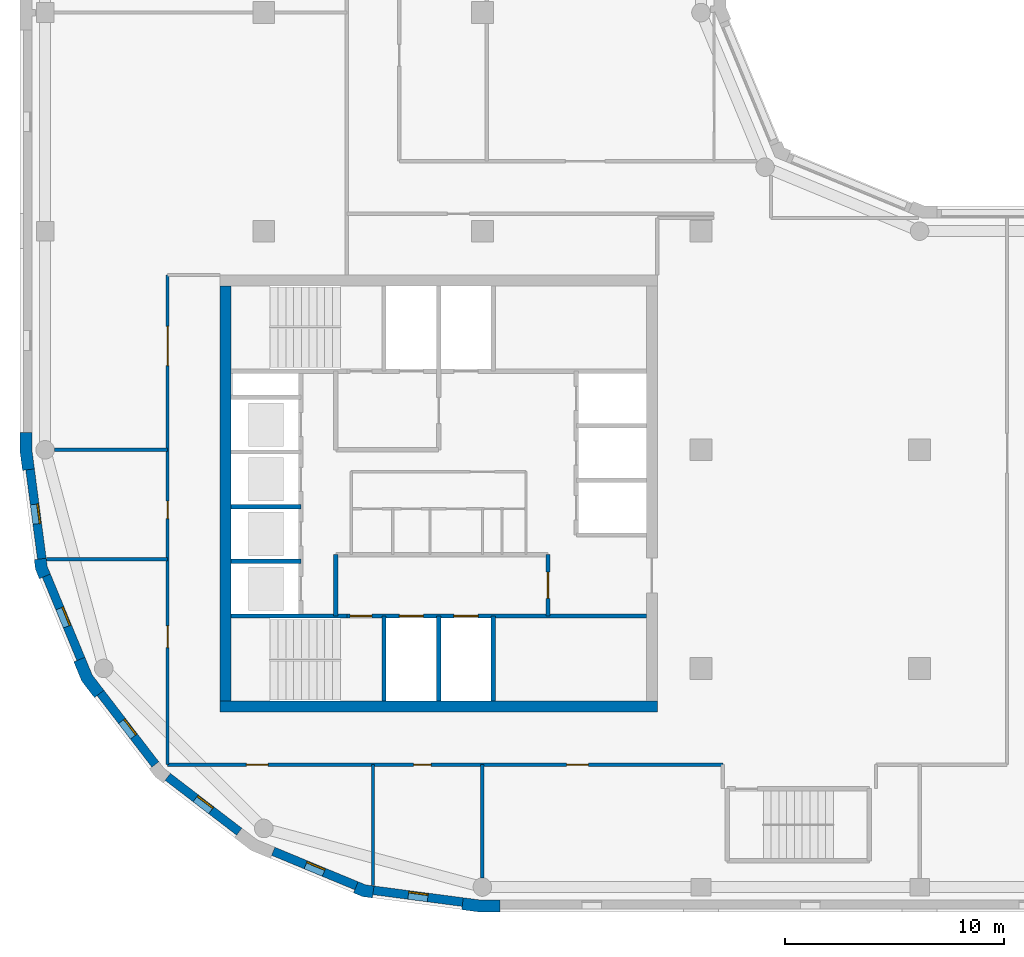
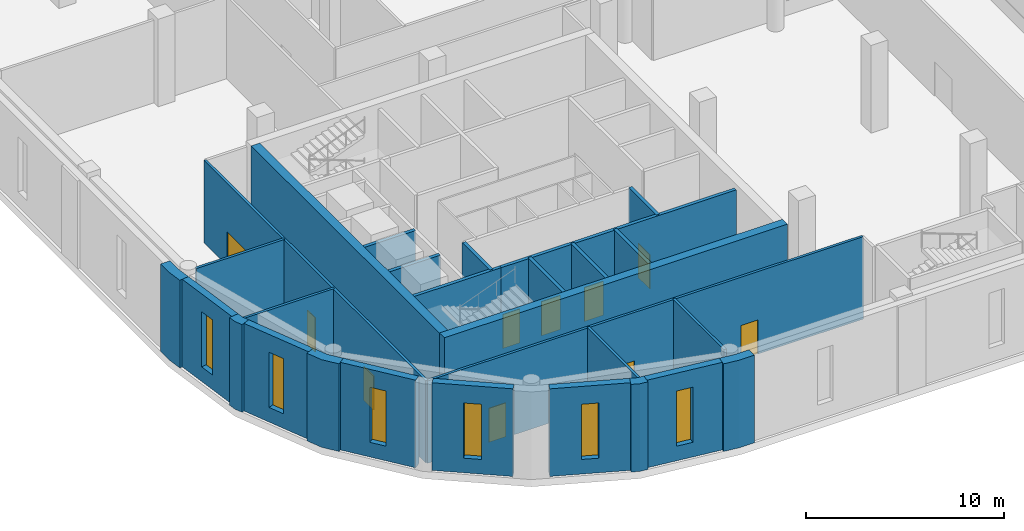
# One storey, part 2 of 9: 28 walls, 10 doors, 6 windows, 16 openings.
"""IFC4 building model written with IfcOpenShell, lengths in metres."""

from ifc_helpers import new_model, si_unit, direction, frame, frame_2d, origin, place, context, subcontext, project, spatial, polyline, rectangle, outline, extrude, material, layer, layer_set, type_object, element, fill, save


model = new_model("IFC4")

# Units and contexts
model_context = context("Model", 3, precision=1e-05, world=origin(), true_north=direction((0.0, 1.0)))
body_context = subcontext(model_context, "Body", "Model", "MODEL_VIEW")
ifc_project = project(units=[si_unit("LENGTHUNIT", "METRE"), si_unit("AREAUNIT", "SQUARE_METRE"), si_unit("VOLUMEUNIT", "CUBIC_METRE"), si_unit("PLANEANGLEUNIT", "RADIAN"), si_unit("MASSUNIT", "GRAM", prefix="KILO")], contexts=[model_context])

# Site, building, storey
site_placement = place(None, origin())
site = spatial("IfcSite", under=ifc_project, at=site_placement, CompositionType="ELEMENT")
building_placement = place(site_placement, origin())
building = spatial("IfcBuilding", under=site, at=building_placement, Name="Qaws Garden Tower", CompositionType="ELEMENT")
storey_placement = place(building_placement, frame((0.0, 0.0, 246.0)))
storey = spatial("IfcBuildingStorey", under=building, at=storey_placement, Name="L59", CompositionType="ELEMENT", Elevation=246.0)

# Wall, opening, window
ifc_material_1 = material(Name="Clay facing brick masonry", Category="masonry")
ifc_layer_1 = layer(ifc_material_1, 0.39990234375)
ifc_layer_set_1 = layer_set([ifc_layer_1], Name="Clay facing brick masonry")
wall_type_1 = type_object("IfcWallType", Name="Brick infill wall 400", PredefinedType="SOLIDWALL", material=ifc_layer_set_1)
wall_1_placement = place(storey_placement, frame((-0.688720703125, 19.102294921875, 0.0), z_axis=(0.0, 0.0, 1.0), x_axis=(0.130514280502, -0.991446429508, 0.0)))
wall_1 = element("IfcWall", 1, at=wall_1_placement, inside=storey, type_object=wall_type_1, Name="E-L59-infill-23", PredefinedType="SOLIDWALL", context=body_context, shape_type="SweptSolid", body=[
    extrude(rectangle(XDim=4.120849609375, YDim=0.39990234375, at=frame_2d((2.060546875, 0.0))), origin(), (0.0, 0.0, 1.0), 5.39990234375),
])
opening_1_placement = place(wall_1_placement, frame((1.610595703125, 0.0, 0.89990234375)))
opening_1 = element("IfcOpeningElement", 2, at=opening_1_placement, cuts=wall_1, Name="Opening W10", PredefinedType="OPENING", context=body_context, shape_type="SweptSolid", body=[
    extrude(rectangle(XDim=0.89990234375, YDim=3.39990234375, at=frame_2d((0.449951171875, 1.699951171875))), frame((0.0, 0.2099609375, 0.0), z_axis=(0.0, -1.0, 0.0), x_axis=(1.0, 0.0, 0.0)), (0.0, 0.0, 1.0), 0.419921875),
])
ifc_material_2 = material(Name="Aluminium framed window, clear glazing", Category="aluminium")
window_type = type_object("IfcWindowType", Name="Slit window 900 x 3400", PartitioningType="SINGLE_PANEL", PredefinedType="WINDOW", material=ifc_material_2)
window_1_placement = place(opening_1_placement, origin())
window_1 = element("IfcWindow", 3, at=window_1_placement, inside=storey, type_object=window_type, Name="E-L59-window-23-0", OverallHeight=3.39990234375, OverallWidth=0.89990234375, PartitioningType="SINGLE_PANEL", PredefinedType="WINDOW", context=body_context, shape_type="SweptSolid", body=[
    extrude(rectangle(XDim=0.89990234375, YDim=3.39990234375, at=frame_2d((0.449951171875, 1.699951171875))), frame((0.0, 0.159912109375, 0.0), z_axis=(0.0, -1.0, 0.0), x_axis=(1.0, 0.0, 0.0)), (0.0, 0.0, 1.0), 0.06005859375),
])
fill(opening_1, window_1)

wall_2_placement = place(storey_placement, frame((0.05712890625, 14.240234375, 0.0), z_axis=(0.0, 0.0, 1.0), x_axis=(0.382721546029, -0.923863744394, 0.0)))
wall_2 = element("IfcWall", 4, at=wall_2_placement, inside=storey, type_object=wall_type_1, Name="E-L59-infill-24", PredefinedType="SOLIDWALL", context=body_context, shape_type="SweptSolid", body=[
    extrude(rectangle(XDim=4.120849609375, YDim=0.39990234375, at=frame_2d((2.060546875, 0.0))), origin(), (0.0, 0.0, 1.0), 5.39990234375),
])
opening_2_placement = place(wall_2_placement, frame((1.610595703125, 0.0, 0.89990234375)))
opening_2 = element("IfcOpeningElement", 5, at=opening_2_placement, cuts=wall_2, Name="Opening W10", PredefinedType="OPENING", context=body_context, shape_type="SweptSolid", body=[
    extrude(rectangle(XDim=0.89990234375, YDim=3.39990234375, at=frame_2d((0.449951171875, 1.699951171875))), frame((0.0, 0.2099609375, 0.0), z_axis=(0.0, -1.0, 0.0), x_axis=(1.0, 0.0, 0.0)), (0.0, 0.0, 1.0), 0.419921875),
])
window_2_placement = place(opening_2_placement, origin())
window_2 = element("IfcWindow", 6, at=window_2_placement, inside=storey, type_object=window_type, Name="E-L59-window-24-0", OverallHeight=3.39990234375, OverallWidth=0.89990234375, PartitioningType="SINGLE_PANEL", PredefinedType="WINDOW", context=body_context, shape_type="SweptSolid", body=[
    extrude(rectangle(XDim=0.89990234375, YDim=3.39990234375, at=frame_2d((0.449951171875, 1.699951171875))), frame((0.0, 0.159912109375, 0.0), z_axis=(0.0, -1.0, 0.0), x_axis=(1.0, 0.0, 0.0)), (0.0, 0.0, 1.0), 0.06005859375),
])
fill(opening_2, window_2)

wall_3_placement = place(storey_placement, frame((2.53173828125, 8.87841796875, 0.0), z_axis=(0.0, 0.0, 1.0), x_axis=(0.608759824817, -0.793354571229, 0.0)))
wall_3 = element("IfcWall", 7, at=wall_3_placement, inside=storey, type_object=wall_type_1, Name="E-L59-infill-25", PredefinedType="SOLIDWALL", context=body_context, shape_type="SweptSolid", body=[
    extrude(rectangle(XDim=4.12109375, YDim=0.39990234375, at=frame_2d((2.060546875, 0.0))), origin(), (0.0, 0.0, 1.0), 5.39990234375),
])
opening_3_placement = place(wall_3_placement, frame((1.610595703125, 0.0, 0.89990234375)))
opening_3 = element("IfcOpeningElement", 8, at=opening_3_placement, cuts=wall_3, Name="Opening W10", PredefinedType="OPENING", context=body_context, shape_type="SweptSolid", body=[
    extrude(rectangle(XDim=0.89990234375, YDim=3.39990234375, at=frame_2d((0.449951171875, 1.699951171875))), frame((0.0, 0.2099609375, 0.0), z_axis=(0.0, -1.0, 0.0), x_axis=(1.0, 0.0, 0.0)), (0.0, 0.0, 1.0), 0.419921875),
])
window_3_placement = place(opening_3_placement, origin())
window_3 = element("IfcWindow", 9, at=window_3_placement, inside=storey, type_object=window_type, Name="E-L59-window-25-0", OverallHeight=3.39990234375, OverallWidth=0.89990234375, PartitioningType="SINGLE_PANEL", PredefinedType="WINDOW", context=body_context, shape_type="SweptSolid", body=[
    extrude(rectangle(XDim=0.89990234375, YDim=3.39990234375, at=frame_2d((0.449951171875, 1.699951171875))), frame((0.0, 0.159912109375, 0.0), z_axis=(0.0, -1.0, 0.0), x_axis=(1.0, 0.0, 0.0)), (0.0, 0.0, 1.0), 0.06005859375),
])
fill(opening_3, window_3)

wall_4_placement = place(storey_placement, frame((5.60888671875, 5.04052734375, 0.0), z_axis=(0.0, 0.0, 1.0), x_axis=(0.793354571229, -0.608759824817, 0.0)))
wall_4 = element("IfcWall", 10, at=wall_4_placement, inside=storey, type_object=wall_type_1, Name="E-L59-infill-26", PredefinedType="SOLIDWALL", context=body_context, shape_type="SweptSolid", body=[
    extrude(rectangle(XDim=4.12109375, YDim=0.39990234375, at=frame_2d((2.060546875, 0.0))), origin(), (0.0, 0.0, 1.0), 5.39990234375),
])
opening_4_placement = place(wall_4_placement, frame((1.610595703125, 0.0, 0.89990234375)))
opening_4 = element("IfcOpeningElement", 11, at=opening_4_placement, cuts=wall_4, Name="Opening W10", PredefinedType="OPENING", context=body_context, shape_type="SweptSolid", body=[
    extrude(rectangle(XDim=0.89990234375, YDim=3.39990234375, at=frame_2d((0.449951171875, 1.699951171875))), frame((0.0, 0.2099609375, 0.0), z_axis=(0.0, -1.0, 0.0), x_axis=(1.0, 0.0, 0.0)), (0.0, 0.0, 1.0), 0.419921875),
])
window_4_placement = place(opening_4_placement, origin())
window_4 = element("IfcWindow", 12, at=window_4_placement, inside=storey, type_object=window_type, Name="E-L59-window-26-0", OverallHeight=3.39990234375, OverallWidth=0.89990234375, PartitioningType="SINGLE_PANEL", PredefinedType="WINDOW", context=body_context, shape_type="SweptSolid", body=[
    extrude(rectangle(XDim=0.89990234375, YDim=3.39990234375, at=frame_2d((0.449951171875, 1.699951171875))), frame((0.0, 0.159912109375, 0.0), z_axis=(0.0, -1.0, 0.0), x_axis=(1.0, 0.0, 0.0)), (0.0, 0.0, 1.0), 0.06005859375),
])
fill(opening_4, window_4)

wall_5_placement = place(storey_placement, frame((10.43310546875, 1.63427734375, 0.0), z_axis=(0.0, 0.0, 1.0), x_axis=(0.923863744394, -0.382721546029, 0.0)))
wall_5 = element("IfcWall", 13, at=wall_5_placement, inside=storey, type_object=wall_type_1, Name="E-L59-infill-27", PredefinedType="SOLIDWALL", context=body_context, shape_type="SweptSolid", body=[
    extrude(rectangle(XDim=4.120849609375, YDim=0.39990234375, at=frame_2d((2.060546875, 0.0))), origin(), (0.0, 0.0, 1.0), 5.39990234375),
])
opening_5_placement = place(wall_5_placement, frame((1.610595703125, 0.0, 0.89990234375)))
opening_5 = element("IfcOpeningElement", 14, at=opening_5_placement, cuts=wall_5, Name="Opening W10", PredefinedType="OPENING", context=body_context, shape_type="SweptSolid", body=[
    extrude(rectangle(XDim=0.89990234375, YDim=3.39990234375, at=frame_2d((0.449951171875, 1.699951171875))), frame((0.0, 0.2099609375, 0.0), z_axis=(0.0, -1.0, 0.0), x_axis=(1.0, 0.0, 0.0)), (0.0, 0.0, 1.0), 0.419921875),
])
window_5_placement = place(opening_5_placement, origin())
window_5 = element("IfcWindow", 15, at=window_5_placement, inside=storey, type_object=window_type, Name="E-L59-window-27-0", OverallHeight=3.39990234375, OverallWidth=0.89990234375, PartitioningType="SINGLE_PANEL", PredefinedType="WINDOW", context=body_context, shape_type="SweptSolid", body=[
    extrude(rectangle(XDim=0.89990234375, YDim=3.39990234375, at=frame_2d((0.449951171875, 1.699951171875))), frame((0.0, 0.159912109375, 0.0), z_axis=(0.0, -1.0, 0.0), x_axis=(1.0, 0.0, 0.0)), (0.0, 0.0, 1.0), 0.06005859375),
])
fill(opening_5, window_5)

wall_6_placement = place(storey_placement, frame((15.0166015625, -0.15087890625, 0.0), z_axis=(0.0, 0.0, 1.0), x_axis=(0.991446429508, -0.130514280502, 0.0)))
wall_6 = element("IfcWall", 16, at=wall_6_placement, inside=storey, type_object=wall_type_1, Name="E-L59-infill-28", PredefinedType="SOLIDWALL", context=body_context, shape_type="SweptSolid", body=[
    extrude(rectangle(XDim=4.120849609375, YDim=0.39990234375, at=frame_2d((2.060546875, 0.0))), origin(), (0.0, 0.0, 1.0), 5.39990234375),
])
opening_6_placement = place(wall_6_placement, frame((1.610595703125, 0.0, 0.89990234375)))
opening_6 = element("IfcOpeningElement", 17, at=opening_6_placement, cuts=wall_6, Name="Opening W10", PredefinedType="OPENING", context=body_context, shape_type="SweptSolid", body=[
    extrude(rectangle(XDim=0.89990234375, YDim=3.39990234375, at=frame_2d((0.449951171875, 1.699951171875))), frame((0.0, 0.2099609375, 0.0), z_axis=(0.0, -1.0, 0.0), x_axis=(1.0, 0.0, 0.0)), (0.0, 0.0, 1.0), 0.419921875),
])
window_6_placement = place(opening_6_placement, origin())
window_6 = element("IfcWindow", 18, at=window_6_placement, inside=storey, type_object=window_type, Name="E-L59-window-28-0", OverallHeight=3.39990234375, OverallWidth=0.89990234375, PartitioningType="SINGLE_PANEL", PredefinedType="WINDOW", context=body_context, shape_type="SweptSolid", body=[
    extrude(rectangle(XDim=0.89990234375, YDim=3.39990234375, at=frame_2d((0.449951171875, 1.699951171875))), frame((0.0, 0.159912109375, 0.0), z_axis=(0.0, -1.0, 0.0), x_axis=(1.0, 0.0, 0.0)), (0.0, 0.0, 1.0), 0.06005859375),
])
fill(opening_6, window_6)

# Walls
ifc_material_3 = material(Name="Clay facing brick masonry", Category="masonry")
ifc_layer_2 = layer(ifc_material_3, 0.550048828125)
ifc_layer_set_2 = layer_set([ifc_layer_2], Name="Clay facing brick masonry")
wall_type_2 = type_object("IfcWallType", Name="Brick kink pier 550 x 600", PredefinedType="SOLIDWALL", material=ifc_layer_set_2)
placement = place(storey_placement, origin())
element("IfcWall", 19, at=placement, inside=storey, type_object=wall_type_2, Name="E-L59-pier-24", PredefinedType="SOLIDWALL", context=body_context, shape_type="SweptSolid", body=[
    extrude(outline(polyline([(-0.34912109375, 14.990478515625), (-0.497802734375, 14.970947265625), (-0.43896484375, 14.5234375), (-0.26611328125, 14.1064453125), (-0.127685546875, 14.163818359375), (0.241943359375, 14.31689453125), (0.096923828125, 14.6669921875), (0.04736328125, 15.042724609375), (-0.34912109375, 14.990478515625)])), origin(), (0.0, 0.0, 1.0), 5.39990234375),
])
element("IfcWall", 20, at=placement, inside=storey, type_object=wall_type_2, Name="E-L59-pier-28", PredefinedType="SOLIDWALL", context=body_context, shape_type="SweptSolid", body=[
    extrude(outline(polyline([(14.163818359375, -0.127685546875), (14.1064453125, -0.26611328125), (14.5234375, -0.43896484375), (14.970947265625, -0.497802734375), (14.990478515625, -0.34912109375), (15.042724609375, 0.04736328125), (14.6669921875, 0.096923828125), (14.31689453125, 0.241943359375), (14.163818359375, -0.127685546875)])), origin(), (0.0, 0.0, 1.0), 5.39990234375),
])
ifc_material_4 = material(Name="Clay facing brick masonry", Category="masonry")
ifc_layer_3 = layer(ifc_material_4, 0.550048828125)
ifc_layer_set_3 = layer_set([ifc_layer_3], Name="Clay facing brick masonry")
wall_type_3 = type_object("IfcWallType", Name="Brick pier 550 x 1600", PredefinedType="SOLIDWALL", material=ifc_layer_set_3)
element("IfcWall", 21, at=placement, inside=storey, type_object=wall_type_3, Name="E-L59-pier-00", PredefinedType="SOLIDWALL", context=body_context, shape_type="SweptSolid", body=[
    extrude(outline(polyline([(19.076416015625, -0.886962890625), (19.056640625, -1.03564453125), (19.924560546875, -1.14990234375), (20.800048828125, -1.14990234375), (20.800048828125, -1.0), (20.800048828125, -0.60009765625), (19.960693359375, -0.60009765625), (19.12841796875, -0.490478515625), (19.076416015625, -0.886962890625)])), origin(), (0.0, 0.0, 1.0), 5.39990234375),
])
element("IfcWall", 22, at=placement, inside=storey, type_object=wall_type_3, Name="E-L59-pier-23", PredefinedType="SOLIDWALL", context=body_context, shape_type="SweptSolid", body=[
    extrude(outline(polyline([(-1.0, 20.800048828125), (-1.14990234375, 20.800048828125), (-1.14990234375, 19.924560546875), (-1.03564453125, 19.056640625), (-0.886962890625, 19.076416015625), (-0.490478515625, 19.12841796875), (-0.60009765625, 19.960693359375), (-0.60009765625, 20.800048828125), (-1.0, 20.800048828125)])), origin(), (0.0, 0.0, 1.0), 5.39990234375),
])
element("IfcWall", 23, at=placement, inside=storey, type_object=wall_type_3, Name="E-L59-pier-25", PredefinedType="SOLIDWALL", context=body_context, shape_type="SweptSolid", body=[
    extrude(outline(polyline([(1.449462890625, 10.3564453125), (1.310791015625, 10.299072265625), (1.675048828125, 9.419921875), (2.254150390625, 8.665283203125), (2.373046875, 8.756591796875), (2.6904296875, 9.0), (2.1552734375, 9.697509765625), (1.819091796875, 10.509521484375), (1.449462890625, 10.3564453125)])), origin(), (0.0, 0.0, 1.0), 5.39990234375),
])
ifc_material_5 = material(Name="Concrete C60", Category="concrete")
ifc_layer_4 = layer(ifc_material_5, 0.199951171875)
ifc_layer_set_4 = layer_set([ifc_layer_4], Name="Concrete C60")
wall_type_4 = type_object("IfcWallType", Name="Core shaft wall 200 C60", PredefinedType="SHEAR", material=ifc_layer_set_4)
wall_12_placement = place(storey_placement, frame((8.5, 12.39990234375, 0.0), z_axis=(0.0, 0.0, 1.0), x_axis=(1.0, 0.0, 0.0)))
element("IfcWall", 24, at=wall_12_placement, inside=storey, type_object=wall_type_4, Name="Shaft wall", PredefinedType="SHEAR", context=body_context, shape_type="SweptSolid", body=[
    extrude(rectangle(XDim=5.300048828125, YDim=0.199951171875, at=frame_2d((2.64990234375, 0.0))), origin(), (0.0, 0.0, 1.0), 5.080078125),
])

# Wall, openings, doors
wall_13_placement = place(storey_placement, frame((13.800048828125, 12.39990234375, 0.0), z_axis=(0.0, 0.0, 1.0), x_axis=(1.0, 0.0, 0.0)))
wall_13 = element("IfcWall", 25, at=wall_13_placement, inside=storey, type_object=wall_type_4, Name="Shaft wall", PredefinedType="SHEAR", context=body_context, shape_type="SweptSolid", body=[
    extrude(rectangle(XDim=13.699951171875, YDim=0.199951171875, at=frame_2d((6.85009765625, 0.0))), origin(), (0.0, 0.0, 1.0), 5.080078125),
])
opening_7_placement = place(wall_13_placement, frame((2.39990234375, 0.0, 0.0)))
opening_7 = element("IfcOpeningElement", 26, at=opening_7_placement, cuts=wall_13, Name="Opening LD08", PredefinedType="OPENING", context=body_context, shape_type="SweptSolid", body=[
    extrude(rectangle(XDim=1.10009765625, YDim=2.10009765625, at=frame_2d((0.550048828125, 1.050048828125))), frame((0.0, 0.10986328125, 0.0), z_axis=(0.0, -1.0, 0.0), x_axis=(1.0, 0.0, 0.0)), (0.0, 0.0, 1.0), 0.219970703125),
])
opening_8_placement = place(wall_13_placement, frame((4.89990234375, 0.0, 0.0)))
opening_8 = element("IfcOpeningElement", 27, at=opening_8_placement, cuts=wall_13, Name="Opening LD09", PredefinedType="OPENING", context=body_context, shape_type="SweptSolid", body=[
    extrude(rectangle(XDim=1.10009765625, YDim=2.10009765625, at=frame_2d((0.550048828125, 1.050048828125))), frame((0.0, 0.10986328125, 0.0), z_axis=(0.0, -1.0, 0.0), x_axis=(1.0, 0.0, 0.0)), (0.0, 0.0, 1.0), 0.219970703125),
])
opening_9_placement = place(wall_13_placement, frame((0.14990234375, 0.0, 0.0)))
opening_9 = element("IfcOpeningElement", 28, at=opening_9_placement, cuts=wall_13, Name="Opening SD12", PredefinedType="OPENING", context=body_context, shape_type="SweptSolid", body=[
    extrude(rectangle(XDim=1.0, YDim=2.10009765625, at=frame_2d((0.5, 1.050048828125))), frame((0.0, 0.10986328125, 0.0), z_axis=(0.0, -1.0, 0.0), x_axis=(1.0, 0.0, 0.0)), (0.0, 0.0, 1.0), 0.219970703125),
])
ifc_material_6 = material(Name="Steel S235", Category="steel")
door_type_1 = type_object("IfcDoorType", Name="Landing door 1100x2100", OperationType="DOUBLE_DOOR_SLIDING", PredefinedType="DOOR", material=ifc_material_6)
door_1_placement = place(opening_7_placement, origin())
door_1 = element("IfcDoor", 29, at=door_1_placement, inside=storey, type_object=door_type_1, Name="Lift FF1 landing door", OperationType="DOUBLE_DOOR_SLIDING", OverallHeight=2.10009765625, OverallWidth=1.10009765625, PredefinedType="DOOR", context=body_context, shape_type="SweptSolid", body=[
    extrude(rectangle(XDim=1.10009765625, YDim=2.10009765625, at=frame_2d((0.550048828125, 1.050048828125))), frame((0.0, 0.02490234375, 0.0), z_axis=(0.0, -1.0, 0.0), x_axis=(1.0, 0.0, 0.0)), (0.0, 0.0, 1.0), 0.050048828125),
])
fill(opening_7, door_1)
door_2_placement = place(opening_8_placement, origin())
door_2 = element("IfcDoor", 30, at=door_2_placement, inside=storey, type_object=door_type_1, Name="Lift FF2 landing door", OperationType="DOUBLE_DOOR_SLIDING", OverallHeight=2.10009765625, OverallWidth=1.10009765625, PredefinedType="DOOR", context=body_context, shape_type="SweptSolid", body=[
    extrude(rectangle(XDim=1.10009765625, YDim=2.10009765625, at=frame_2d((0.550048828125, 1.050048828125))), frame((0.0, 0.02490234375, 0.0), z_axis=(0.0, -1.0, 0.0), x_axis=(1.0, 0.0, 0.0)), (0.0, 0.0, 1.0), 0.050048828125),
])
fill(opening_8, door_2)
ifc_material_7 = material(Name="Steel S235", Category="steel")
door_type_2 = type_object("IfcDoorType", Name="Stair door 1000x2100", OperationType="SINGLE_SWING_RIGHT", PredefinedType="DOOR", material=ifc_material_7)
door_3_placement = place(opening_9_placement, frame((1.0, 0.0, 0.0), z_axis=(0.0, 0.0, 1.0), x_axis=(-1.0, 0.0, 0.0)))
door_3 = element("IfcDoor", 31, at=door_3_placement, inside=storey, type_object=door_type_2, Name="Stair 1 door", OperationType="SINGLE_SWING_LEFT", OverallHeight=2.10009765625, OverallWidth=1.0, PredefinedType="DOOR", context=body_context, shape_type="SweptSolid", body=[
    extrude(rectangle(XDim=1.0, YDim=2.10009765625, at=frame_2d((0.5, 1.050048828125))), frame((0.0, 0.02490234375, 0.0), z_axis=(0.0, -1.0, 0.0), x_axis=(1.0, 0.0, 0.0)), (0.0, 0.0, 1.0), 0.050048828125),
])
fill(opening_9, door_3)

# Walls
for number, where, z_axis, x_axis, name in (
    (32, (8.5, 14.89990234375, 0.0), (0.0, 0.0, 1.0), (1.0, 0.0, 0.0), "Shaft wall"),
    (33, (8.5, 17.39990234375, 0.0), (0.0, 0.0, 1.0), (1.0, 0.0, 0.0), "Shaft wall"),
):
    element("IfcWall", number, at=place(storey_placement, frame(where, z_axis=z_axis, x_axis=x_axis)), inside=storey, type_object=wall_type_4, Name=name, PredefinedType="SHEAR", context=body_context, shape_type="SweptSolid", body=[
        extrude(rectangle(XDim=3.199951171875, YDim=0.199951171875, at=frame_2d((1.60009765625, 0.0))), origin(), (0.0, 0.0, 1.0), 5.080078125),
    ])
wall_14_placement = place(storey_placement, frame((13.300048828125, 12.39990234375, 0.0), z_axis=(0.0, 0.0, 1.0), x_axis=(0.0, 1.0, 0.0)))
element("IfcWall", 34, at=wall_14_placement, inside=storey, type_object=wall_type_4, Name="Shaft wall", PredefinedType="SHEAR", context=body_context, shape_type="SweptSolid", body=[
    extrude(rectangle(XDim=2.800048828125, YDim=0.199951171875, at=frame_2d((1.39990234375, 0.0))), origin(), (0.0, 0.0, 1.0), 5.080078125),
])
for number, where, z_axis, x_axis, name in (
    (35, (15.5, 8.5, 0.0), (0.0, 0.0, 1.0), (0.0, 1.0, 0.0), "Shaft wall"),
    (36, (18.0, 8.5, 0.0), (0.0, 0.0, 1.0), (0.0, 1.0, 0.0), "Shaft wall"),
    (37, (20.5, 8.5, 0.0), (0.0, 0.0, 1.0), (0.0, 1.0, 0.0), "Shaft wall"),
):
    element("IfcWall", number, at=place(storey_placement, frame(where, z_axis=z_axis, x_axis=x_axis)), inside=storey, type_object=wall_type_4, Name=name, PredefinedType="SHEAR", context=body_context, shape_type="SweptSolid", body=[
        extrude(rectangle(XDim=3.89990234375, YDim=0.199951171875, at=frame_2d((1.949951171875, 0.0))), origin(), (0.0, 0.0, 1.0), 5.080078125),
    ])

# Wall, opening, door
wall_15_placement = place(storey_placement, frame((23.0, 12.39990234375, 0.0), z_axis=(0.0, 0.0, 1.0), x_axis=(0.0, 1.0, 0.0)))
wall_15 = element("IfcWall", 38, at=wall_15_placement, inside=storey, type_object=wall_type_4, Name="Shaft wall", PredefinedType="SHEAR", context=body_context, shape_type="SweptSolid", body=[
    extrude(rectangle(XDim=2.800048828125, YDim=0.199951171875, at=frame_2d((1.39990234375, 0.0))), origin(), (0.0, 0.0, 1.0), 5.080078125),
])
opening_10_placement = place(wall_15_placement, frame((0.800048828125, 0.0, 0.0)))
opening_10 = element("IfcOpeningElement", 39, at=opening_10_placement, cuts=wall_15, Name="Opening FD17", PredefinedType="OPENING", context=body_context, shape_type="SweptSolid", body=[
    extrude(rectangle(XDim=1.199951171875, YDim=2.10009765625, at=frame_2d((0.60009765625, 1.050048828125))), frame((0.0, 0.10986328125, 0.0), z_axis=(0.0, -1.0, 0.0), x_axis=(1.0, 0.0, 0.0)), (0.0, 0.0, 1.0), 0.219970703125),
])
ifc_material_8 = material(Name="Steel S235", Category="steel")
door_type_3 = type_object("IfcDoorType", Name="Lobby door 1200x2100", OperationType="DOUBLE_DOOR_SINGLE_SWING", PredefinedType="DOOR", material=ifc_material_8)
door_4_placement = place(opening_10_placement, origin())
door_4 = element("IfcDoor", 40, at=door_4_placement, inside=storey, type_object=door_type_3, Name="Fire-fighting lobby door", OperationType="DOUBLE_DOOR_SINGLE_SWING", OverallHeight=2.10009765625, OverallWidth=1.199951171875, PredefinedType="DOOR", context=body_context, shape_type="SweptSolid", body=[
    extrude(rectangle(XDim=1.199951171875, YDim=2.10009765625, at=frame_2d((0.60009765625, 1.050048828125))), frame((0.0, 0.02490234375, 0.0), z_axis=(0.0, -1.0, 0.0), x_axis=(1.0, 0.0, 0.0)), (0.0, 0.0, 1.0), 0.050048828125),
])
fill(opening_10, door_4)

# Walls
ifc_material_9 = material(Name="Concrete C60", Category="concrete")
ifc_layer_5 = layer(ifc_material_9, 0.5)
ifc_layer_set_5 = layer_set([ifc_layer_5], Name="Concrete C60")
wall_type_5 = type_object("IfcWallType", Name="Core wall 500 C60", PredefinedType="SHEAR", material=ifc_layer_set_5)
wall_16_placement = place(storey_placement, frame((8.0, 8.25, 0.0), z_axis=(0.0, 0.0, 1.0), x_axis=(1.0, 0.0, 0.0)))
element("IfcWall", 41, at=wall_16_placement, inside=storey, type_object=wall_type_5, Name="Core wall L59 south", PredefinedType="SHEAR", context=body_context, shape_type="SweptSolid", body=[
    extrude(rectangle(XDim=20.0, YDim=0.5, at=frame_2d((10.0, 0.0))), origin(), (0.0, 0.0, 1.0), 5.39990234375),
])
wall_17_placement = place(storey_placement, frame((8.25, 27.5, 0.0), z_axis=(0.0, 0.0, 1.0), x_axis=(0.0, -1.0, 0.0)))
element("IfcWall", 42, at=wall_17_placement, inside=storey, type_object=wall_type_5, Name="Core wall L59 west", PredefinedType="SHEAR", context=body_context, shape_type="SweptSolid", body=[
    extrude(rectangle(XDim=19.0, YDim=0.5, at=frame_2d((9.5, 0.0))), origin(), (0.0, 0.0, 1.0), 5.39990234375),
])

# Wall, openings, doors
ifc_material_10 = material(Name="Gypsum board partition")
ifc_layer_6 = layer(ifc_material_10, 0.14990234375)
ifc_layer_set_6 = layer_set([ifc_layer_6], Name="Gypsum board partition")
wall_type_6 = type_object("IfcWallType", Name="PARTITION 150 EI 60", PredefinedType="PARTITIONING", material=ifc_layer_set_6)
wall_18_placement = place(storey_placement, frame((5.60009765625, 5.60009765625, 0.0), z_axis=(0.0, 0.0, 1.0), x_axis=(0.0, 1.0, 0.0)))
wall_18 = element("IfcWall", 43, at=wall_18_placement, inside=storey, type_object=wall_type_6, Name="O-L59-wall-003", PredefinedType="PARTITIONING", context=body_context, shape_type="SweptSolid", body=[
    extrude(rectangle(XDim=22.39990234375, YDim=0.14990234375, at=frame_2d((11.199951171875, 0.0))), origin(), (0.0, 0.0, 1.0), 5.080078125),
])
opening_11_placement = place(wall_18_placement, frame((5.35009765625, 0.0, 0.0)))
opening_11 = element("IfcOpeningElement", 44, at=opening_11_placement, cuts=wall_18, Name="Opening S201", PredefinedType="OPENING", context=body_context, shape_type="SweptSolid", body=[
    extrude(rectangle(XDim=1.0, YDim=2.10009765625, at=frame_2d((0.5, 1.050048828125))), frame((0.0, 0.0849609375, 0.0), z_axis=(0.0, -1.0, 0.0), x_axis=(1.0, 0.0, 0.0)), (0.0, 0.0, 1.0), 0.169921875),
])
opening_12_placement = place(wall_18_placement, frame((11.25, 0.0, 0.0)))
opening_12 = element("IfcOpeningElement", 45, at=opening_12_placement, cuts=wall_18, Name="Opening S202", PredefinedType="OPENING", context=body_context, shape_type="SweptSolid", body=[
    extrude(rectangle(XDim=0.800048828125, YDim=2.10009765625, at=frame_2d((0.39990234375, 1.050048828125))), frame((0.0, 0.0849609375, 0.0), z_axis=(0.0, -1.0, 0.0), x_axis=(1.0, 0.0, 0.0)), (0.0, 0.0, 1.0), 0.169921875),
])
opening_13_placement = place(wall_18_placement, frame((18.25, 0.0, 0.0)))
opening_13 = element("IfcOpeningElement", 46, at=opening_13_placement, cuts=wall_18, Name="Opening S211", PredefinedType="OPENING", context=body_context, shape_type="SweptSolid", body=[
    extrude(rectangle(XDim=1.800048828125, YDim=2.10009765625, at=frame_2d((0.89990234375, 1.050048828125))), frame((0.0, 0.0849609375, 0.0), z_axis=(0.0, -1.0, 0.0), x_axis=(1.0, 0.0, 0.0)), (0.0, 0.0, 1.0), 0.169921875),
])
ifc_material_11 = material(Name="Timber door leaf", Category="wood")
door_type_4 = type_object("IfcDoorType", Name="DOUBLE DOOR 1800 X 2100", OperationType="DOUBLE_DOOR_SINGLE_SWING", PredefinedType="DOOR", material=ifc_material_11)
door_5_placement = place(opening_13_placement, origin())
door_5 = element("IfcDoor", 47, at=door_5_placement, inside=storey, type_object=door_type_4, Name="O-L59-door-011", OperationType="DOUBLE_DOOR_SINGLE_SWING", OverallHeight=2.10009765625, OverallWidth=1.800048828125, PredefinedType="DOOR", context=body_context, shape_type="SweptSolid", body=[
    extrude(rectangle(XDim=1.800048828125, YDim=2.10009765625, at=frame_2d((0.89990234375, 1.050048828125))), frame((0.0, 0.02490234375, 0.0), z_axis=(0.0, -1.0, 0.0), x_axis=(1.0, 0.0, 0.0)), (0.0, 0.0, 1.0), 0.050048828125),
])
fill(opening_13, door_5)
ifc_material_12 = material(Name="Timber door leaf", Category="wood")
door_type_5 = type_object("IfcDoorType", Name="STORE DOOR 800 X 2100", OperationType="SINGLE_SWING_LEFT", PredefinedType="DOOR", material=ifc_material_12)
door_6_placement = place(opening_12_placement, origin())
door_6 = element("IfcDoor", 48, at=door_6_placement, inside=storey, type_object=door_type_5, Name="O-L59-door-002", OperationType="SINGLE_SWING_RIGHT", OverallHeight=2.10009765625, OverallWidth=0.800048828125, PredefinedType="DOOR", context=body_context, shape_type="SweptSolid", body=[
    extrude(rectangle(XDim=0.800048828125, YDim=2.10009765625, at=frame_2d((0.39990234375, 1.050048828125))), frame((0.0, 0.02490234375, 0.0), z_axis=(0.0, -1.0, 0.0), x_axis=(1.0, 0.0, 0.0)), (0.0, 0.0, 1.0), 0.050048828125),
])
fill(opening_12, door_6)
ifc_material_13 = material(Name="Timber door leaf", Category="wood")
door_type_6 = type_object("IfcDoorType", Name="TENANCY ENTRANCE DOOR 1000 X 2100", OperationType="SINGLE_SWING_LEFT", PredefinedType="DOOR", material=ifc_material_13)
door_7_placement = place(opening_11_placement, origin())
door_7 = element("IfcDoor", 49, at=door_7_placement, inside=storey, type_object=door_type_6, Name="O-L59-door-001", OperationType="SINGLE_SWING_RIGHT", OverallHeight=2.10009765625, OverallWidth=1.0, PredefinedType="DOOR", context=body_context, shape_type="SweptSolid", body=[
    extrude(rectangle(XDim=1.0, YDim=2.10009765625, at=frame_2d((0.5, 1.050048828125))), frame((0.0, 0.02490234375, 0.0), z_axis=(0.0, -1.0, 0.0), x_axis=(1.0, 0.0, 0.0)), (0.0, 0.0, 1.0), 0.050048828125),
])
fill(opening_11, door_7)

# Walls
wall_19_placement = place(storey_placement, frame((15.0, 0.06298828125, 0.0), z_axis=(0.0, 0.0, 1.0), x_axis=(0.0, 1.0, 0.0)))
element("IfcWall", 50, at=wall_19_placement, inside=storey, type_object=wall_type_6, Name="O-L59-wall-006", PredefinedType="PARTITIONING", context=body_context, shape_type="SweptSolid", body=[
    extrude(rectangle(XDim=5.537109375, YDim=0.14990234375, at=frame_2d((2.7685546875, 0.0))), origin(), (0.0, 0.0, 1.0), 5.080078125),
])
wall_20_placement = place(storey_placement, frame((20.0, 0.425048828125, 0.0), z_axis=(0.0, 0.0, 1.0), x_axis=(0.0, 1.0, 0.0)))
element("IfcWall", 51, at=wall_20_placement, inside=storey, type_object=wall_type_6, Name="O-L59-wall-009", PredefinedType="PARTITIONING", context=body_context, shape_type="SweptSolid", body=[
    extrude(rectangle(XDim=5.175048828125, YDim=0.14990234375, at=frame_2d((2.58740234375, 0.0))), origin(), (0.0, 0.0, 1.0), 5.080078125),
])

# Wall, openings, doors
wall_21_placement = place(storey_placement, frame((5.60009765625, 5.60009765625, 0.0), z_axis=(0.0, 0.0, 1.0), x_axis=(1.0, 0.0, 0.0)))
wall_21 = element("IfcWall", 52, at=wall_21_placement, inside=storey, type_object=wall_type_6, Name="O-L59-wall-020", PredefinedType="PARTITIONING", context=body_context, shape_type="SweptSolid", body=[
    extrude(rectangle(XDim=25.39990234375, YDim=0.14990234375, at=frame_2d((12.699951171875, 0.0))), origin(), (0.0, 0.0, 1.0), 5.080078125),
])
opening_14_placement = place(wall_21_placement, frame((3.60009765625, 0.0, 0.0)))
opening_14 = element("IfcOpeningElement", 53, at=opening_14_placement, cuts=wall_21, Name="Opening S207", PredefinedType="OPENING", context=body_context, shape_type="SweptSolid", body=[
    extrude(rectangle(XDim=1.0, YDim=2.10009765625, at=frame_2d((0.5, 1.050048828125))), frame((0.0, 0.0849609375, 0.0), z_axis=(0.0, -1.0, 0.0), x_axis=(1.0, 0.0, 0.0)), (0.0, 0.0, 1.0), 0.169921875),
])
opening_15_placement = place(wall_21_placement, frame((11.25, 0.0, 0.0)))
opening_15 = element("IfcOpeningElement", 54, at=opening_15_placement, cuts=wall_21, Name="Opening S208", PredefinedType="OPENING", context=body_context, shape_type="SweptSolid", body=[
    extrude(rectangle(XDim=0.800048828125, YDim=2.10009765625, at=frame_2d((0.39990234375, 1.050048828125))), frame((0.0, 0.0849609375, 0.0), z_axis=(0.0, -1.0, 0.0), x_axis=(1.0, 0.0, 0.0)), (0.0, 0.0, 1.0), 0.169921875),
])
opening_16_placement = place(wall_21_placement, frame((18.25, 0.0, 0.0)))
opening_16 = element("IfcOpeningElement", 55, at=opening_16_placement, cuts=wall_21, Name="Opening S209", PredefinedType="OPENING", context=body_context, shape_type="SweptSolid", body=[
    extrude(rectangle(XDim=1.0, YDim=2.10009765625, at=frame_2d((0.5, 1.050048828125))), frame((0.0, 0.0849609375, 0.0), z_axis=(0.0, -1.0, 0.0), x_axis=(1.0, 0.0, 0.0)), (0.0, 0.0, 1.0), 0.169921875),
])
door_8_placement = place(opening_15_placement, frame((0.800048828125, 0.0, 0.0), z_axis=(0.0, 0.0, 1.0), x_axis=(-1.0, 0.0, 0.0)))
door_8 = element("IfcDoor", 56, at=door_8_placement, inside=storey, type_object=door_type_5, Name="O-L59-door-008", OperationType="SINGLE_SWING_LEFT", OverallHeight=2.10009765625, OverallWidth=0.800048828125, PredefinedType="DOOR", context=body_context, shape_type="SweptSolid", body=[
    extrude(rectangle(XDim=0.800048828125, YDim=2.10009765625, at=frame_2d((0.39990234375, 1.050048828125))), frame((0.0, 0.02490234375, 0.0), z_axis=(0.0, -1.0, 0.0), x_axis=(1.0, 0.0, 0.0)), (0.0, 0.0, 1.0), 0.050048828125),
])
fill(opening_15, door_8)
door_9_placement = place(opening_14_placement, frame((1.0, 0.0, 0.0), z_axis=(0.0, 0.0, 1.0), x_axis=(-1.0, 0.0, 0.0)))
door_9 = element("IfcDoor", 57, at=door_9_placement, inside=storey, type_object=door_type_6, Name="O-L59-door-007", OperationType="SINGLE_SWING_LEFT", OverallHeight=2.10009765625, OverallWidth=1.0, PredefinedType="DOOR", context=body_context, shape_type="SweptSolid", body=[
    extrude(rectangle(XDim=1.0, YDim=2.10009765625, at=frame_2d((0.5, 1.050048828125))), frame((0.0, 0.02490234375, 0.0), z_axis=(0.0, -1.0, 0.0), x_axis=(1.0, 0.0, 0.0)), (0.0, 0.0, 1.0), 0.050048828125),
])
fill(opening_14, door_9)
door_10_placement = place(opening_16_placement, frame((1.0, 0.0, 0.0), z_axis=(0.0, 0.0, 1.0), x_axis=(-1.0, 0.0, 0.0)))
door_10 = element("IfcDoor", 58, at=door_10_placement, inside=storey, type_object=door_type_6, Name="O-L59-door-009", OperationType="SINGLE_SWING_LEFT", OverallHeight=2.10009765625, OverallWidth=1.0, PredefinedType="DOOR", context=body_context, shape_type="SweptSolid", body=[
    extrude(rectangle(XDim=1.0, YDim=2.10009765625, at=frame_2d((0.5, 1.050048828125))), frame((0.0, 0.02490234375, 0.0), z_axis=(0.0, -1.0, 0.0), x_axis=(1.0, 0.0, 0.0)), (0.0, 0.0, 1.0), 0.050048828125),
])
fill(opening_16, door_10)

# Walls
wall_22_placement = place(storey_placement, frame((0.06298828125, 15.0, 0.0), z_axis=(0.0, 0.0, 1.0), x_axis=(1.0, 0.0, 0.0)))
element("IfcWall", 59, at=wall_22_placement, inside=storey, type_object=wall_type_6, Name="O-L59-wall-022", PredefinedType="PARTITIONING", context=body_context, shape_type="SweptSolid", body=[
    extrude(rectangle(XDim=5.537109375, YDim=0.14990234375, at=frame_2d((2.7685546875, 0.0))), origin(), (0.0, 0.0, 1.0), 5.080078125),
])
wall_23_placement = place(storey_placement, frame((0.425048828125, 20.0, 0.0), z_axis=(0.0, 0.0, 1.0), x_axis=(1.0, 0.0, 0.0)))
element("IfcWall", 60, at=wall_23_placement, inside=storey, type_object=wall_type_6, Name="O-L59-wall-023", PredefinedType="PARTITIONING", context=body_context, shape_type="SweptSolid", body=[
    extrude(rectangle(XDim=5.175048828125, YDim=0.14990234375, at=frame_2d((2.58740234375, 0.0))), origin(), (0.0, 0.0, 1.0), 5.080078125),
])

save(model, "model.ifc")
